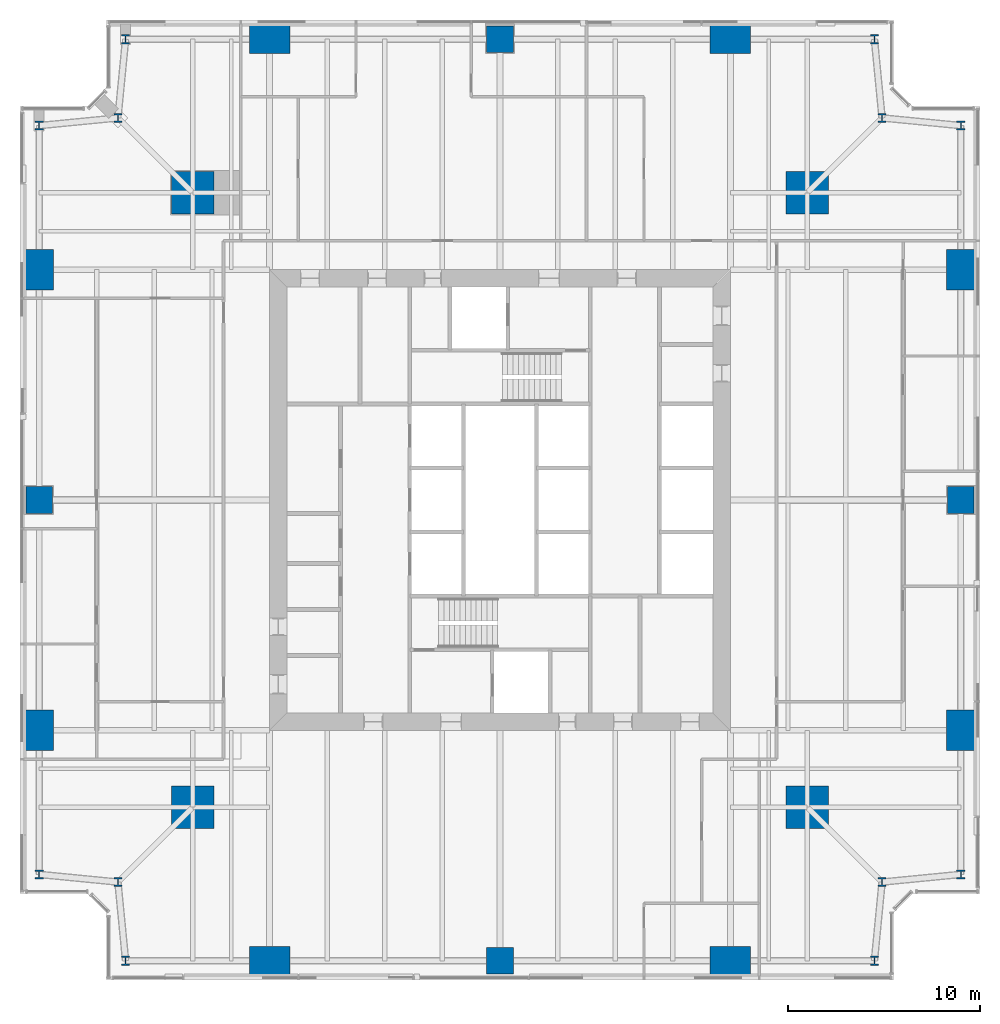
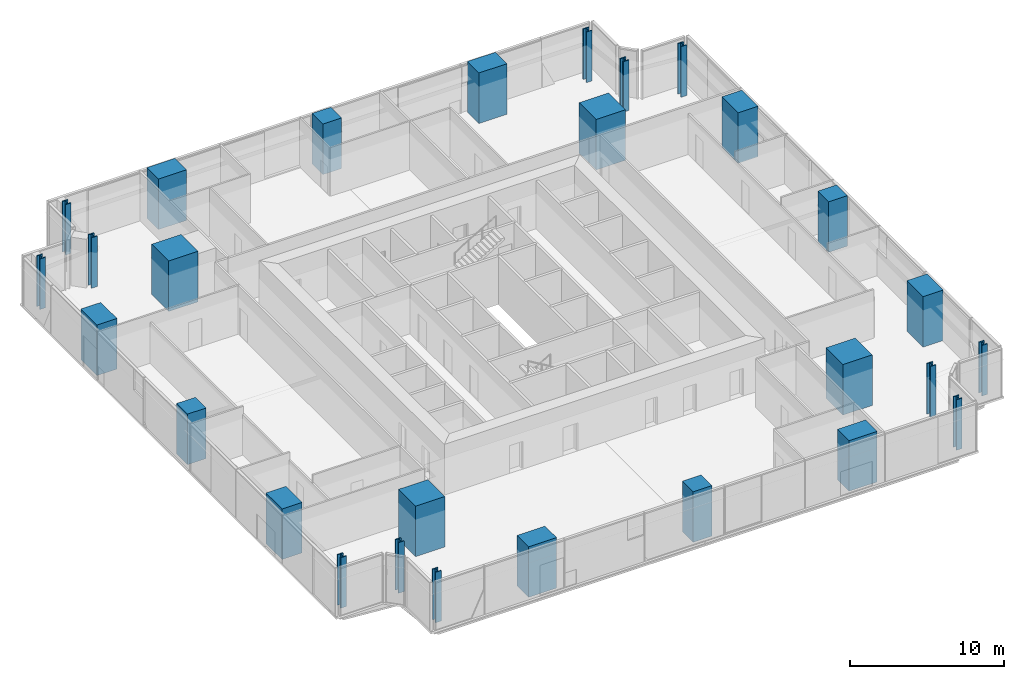
# One storey, part 1 of 14: 28 columns.
"""IFC4 building model written with IfcOpenShell, lengths in metres."""

from ifc_helpers import new_model, si_unit, direction, frame, origin, origin_2d, place, context, subcontext, project, spatial, rectangle, i_section, extrude, material, material_profile, profile_set, type_object, element, save


model = new_model("IFC4")

# Units and contexts
model_context = context("Model", 3, precision=1e-05, world=origin(), true_north=direction((0.0, 1.0)))
body_context = subcontext(model_context, "Body", "Model", "MODEL_VIEW")
ifc_project = project(units=[si_unit("LENGTHUNIT", "METRE"), si_unit("AREAUNIT", "SQUARE_METRE"), si_unit("VOLUMEUNIT", "CUBIC_METRE"), si_unit("PLANEANGLEUNIT", "RADIAN"), si_unit("MASSUNIT", "GRAM", prefix="KILO")], contexts=[model_context])

# Site, building, storey
site_placement = place(None, origin())
site = spatial("IfcSite", under=ifc_project, at=site_placement, CompositionType="ELEMENT")
building_placement = place(site_placement, origin())
building = spatial("IfcBuilding", under=site, at=building_placement, Name="Fenwick Lantern Interchange", CompositionType="ELEMENT")
storey_placement = place(building_placement, frame((0.0, 0.0, 122.39990234375)))
storey = spatial("IfcBuildingStorey", under=building, at=storey_placement, Name="L28", CompositionType="ELEMENT", Elevation=122.39990234375)

# Columns
ifc_material_1 = material(Name="Concrete f'c 70 MPa", Category="concrete")
ifc_material_profile_1 = material_profile(ifc_material_1, rectangle(XDim=2.199951171875, YDim=2.199951171875, at=origin_2d()), Name="RC2200X2200")
ifc_profile_set_1 = profile_set([ifc_material_profile_1], Name="Concrete f'c 70 MPa")
column_type_1 = type_object("IfcColumnType", Name="MEGA COLUMN RC2200X2200", PredefinedType="COLUMN", material=ifc_profile_set_1)
for number, where, z_axis, x_axis, name in (
    (1, (9.0, 9.0, 0.0), (0.0, 0.0, 1.0), (1.0, 0.0, 0.0), "L28/M1"),
    (2, (41.0, 9.0, 0.0), (0.0, 0.0, 1.0), (1.0, 0.0, 0.0), "L28/M2"),
    (3, (41.0, 41.0, 0.0), (0.0, 0.0, 1.0), (1.0, 0.0, 0.0), "L28/M3"),
    (4, (9.0, 41.0, 0.0), (0.0, 0.0, 1.0), (1.0, 0.0, 0.0), "L28/M4"),
):
    element("IfcColumn", number, at=place(storey_placement, frame(where, z_axis=z_axis, x_axis=x_axis)), inside=storey, type_object=column_type_1, Name=name, PredefinedType="COLUMN", context=body_context, shape_type="SweptSolid", body=[
        extrude(rectangle(XDim=2.199951171875, YDim=2.199951171875, at=origin_2d()), origin(), (0.0, 0.0, 1.0), 4.0),
    ])
ifc_material_profile_2 = material_profile(ifc_material_1, rectangle(XDim=1.39990234375, YDim=1.39990234375, at=origin_2d()), Name="RC1400X1400")
ifc_profile_set_2 = profile_set([ifc_material_profile_2], Name="Concrete f'c 70 MPa")
column_type_2 = type_object("IfcColumnType", Name="PERIMETER COLUMN RC1400X1400", PredefinedType="COLUMN", material=ifc_profile_set_2)
for number, where, z_axis, x_axis, name in (
    (5, (25.0, 1.0, 0.0), (0.0, 0.0, 1.0), (1.0, 0.0, 0.0), "L28/CS3"),
    (6, (49.0, 25.0, 0.0), (0.0, 0.0, 1.0), (1.0, 0.0, 0.0), "L28/CE3"),
    (7, (25.0, 49.0, 0.0), (0.0, 0.0, 1.0), (1.0, 0.0, 0.0), "L28/CN3"),
    (8, (1.0, 25.0, 0.0), (0.0, 0.0, 1.0), (1.0, 0.0, 0.0), "L28/CW3"),
):
    element("IfcColumn", number, at=place(storey_placement, frame(where, z_axis=z_axis, x_axis=x_axis)), inside=storey, type_object=column_type_2, Name=name, PredefinedType="COLUMN", context=body_context, shape_type="SweptSolid", body=[
        extrude(rectangle(XDim=1.39990234375, YDim=1.39990234375, at=origin_2d()), origin(), (0.0, 0.0, 1.0), 4.0),
    ])
ifc_material_profile_3 = material_profile(ifc_material_1, rectangle(XDim=1.5, YDim=2.10009765625, at=origin_2d()), Name="RC1500X2100")
ifc_profile_set_3 = profile_set([ifc_material_profile_3], Name="Concrete f'c 70 MPa")
column_type_3 = type_object("IfcColumnType", Name="PERIMETER COLUMN RC1500X2100", PredefinedType="COLUMN", material=ifc_profile_set_3)
for number, where, z_axis, x_axis, name in (
    (9, (49.0, 13.0, 0.0), (0.0, 0.0, 1.0), (1.0, 0.0, 0.0), "L28/CE2"),
    (10, (49.0, 37.0, 0.0), (0.0, 0.0, 1.0), (1.0, 0.0, 0.0), "L28/CE4"),
    (11, (1.0, 37.0, 0.0), (0.0, 0.0, 1.0), (1.0, 0.0, 0.0), "L28/CW2"),
    (12, (1.0, 13.0, 0.0), (0.0, 0.0, 1.0), (1.0, 0.0, 0.0), "L28/CW4"),
):
    element("IfcColumn", number, at=place(storey_placement, frame(where, z_axis=z_axis, x_axis=x_axis)), inside=storey, type_object=column_type_3, Name=name, PredefinedType="COLUMN", context=body_context, shape_type="SweptSolid", body=[
        extrude(rectangle(XDim=1.5, YDim=2.10009765625, at=origin_2d()), origin(), (0.0, 0.0, 1.0), 4.0),
    ])
ifc_material_profile_4 = material_profile(ifc_material_1, rectangle(XDim=2.10009765625, YDim=1.5, at=origin_2d()), Name="RC2100X1500")
ifc_profile_set_4 = profile_set([ifc_material_profile_4], Name="Concrete f'c 70 MPa")
column_type_4 = type_object("IfcColumnType", Name="PERIMETER COLUMN RC2100X1500", PredefinedType="COLUMN", material=ifc_profile_set_4)
for number, where, z_axis, x_axis, name in (
    (13, (13.0, 1.0, 0.0), (0.0, 0.0, 1.0), (1.0, 0.0, 0.0), "L28/CS2"),
    (14, (37.0, 1.0, 0.0), (0.0, 0.0, 1.0), (1.0, 0.0, 0.0), "L28/CS4"),
    (15, (37.0, 49.0, 0.0), (0.0, 0.0, 1.0), (1.0, 0.0, 0.0), "L28/CN2"),
    (16, (13.0, 49.0, 0.0), (0.0, 0.0, 1.0), (1.0, 0.0, 0.0), "L28/CN4"),
):
    element("IfcColumn", number, at=place(storey_placement, frame(where, z_axis=z_axis, x_axis=x_axis)), inside=storey, type_object=column_type_4, Name=name, PredefinedType="COLUMN", context=body_context, shape_type="SweptSolid", body=[
        extrude(rectangle(XDim=2.10009765625, YDim=1.5, at=origin_2d()), origin(), (0.0, 0.0, 1.0), 4.0),
    ])
ifc_material_2 = material(Name="Steel ASTM A992 Grade 50", Category="steel")
ifc_material_profile_5 = material_profile(ifc_material_2, i_section(OverallWidth=0.424072265625, OverallDepth=0.47509765625, WebThickness=0.0478515625, FlangeThickness=0.0771484375, at=origin_2d()), Name="W14X426")
ifc_profile_set_5 = profile_set([ifc_material_profile_5], Name="Steel ASTM A992 Grade 50")
column_type_5 = type_object("IfcColumnType", Name="PERIMETER COLUMN W14X426", PredefinedType="COLUMN", material=ifc_profile_set_5)
for number, where, z_axis, x_axis, name in (
    (17, (5.5, 1.0, 0.0), (0.0, 0.0, 1.0), (1.0, 0.0, 0.0), "L28/CS1"),
    (18, (44.5, 1.0, 0.0), (0.0, 0.0, 1.0), (1.0, 0.0, 0.0), "L28/CS5"),
    (19, (44.89990234375, 5.10009765625, 0.0), (0.0, 0.0, 1.0), (1.0, 0.0, 0.0), "L28/CSR"),
    (20, (49.0, 5.5, 0.0), (0.0, 0.0, 1.0), (1.0, 0.0, 0.0), "L28/CE1"),
    (21, (49.0, 44.5, 0.0), (0.0, 0.0, 1.0), (1.0, 0.0, 0.0), "L28/CE5"),
    (22, (44.89990234375, 44.89990234375, 0.0), (0.0, 0.0, 1.0), (1.0, 0.0, 0.0), "L28/CER"),
    (23, (44.5, 49.0, 0.0), (0.0, 0.0, 1.0), (1.0, 0.0, 0.0), "L28/CN1"),
    (24, (5.5, 49.0, 0.0), (0.0, 0.0, 1.0), (1.0, 0.0, 0.0), "L28/CN5"),
    (25, (5.10009765625, 44.89990234375, 0.0), (0.0, 0.0, 1.0), (1.0, 0.0, 0.0), "L28/CNR"),
    (26, (1.0, 44.5, 0.0), (0.0, 0.0, 1.0), (1.0, 0.0, 0.0), "L28/CW1"),
    (27, (1.0, 5.5, 0.0), (0.0, 0.0, 1.0), (1.0, 0.0, 0.0), "L28/CW5"),
    (28, (5.10009765625, 5.10009765625, 0.0), (0.0, 0.0, 1.0), (1.0, 0.0, 0.0), "L28/CWR"),
):
    element("IfcColumn", number, at=place(storey_placement, frame(where, z_axis=z_axis, x_axis=x_axis)), inside=storey, type_object=column_type_5, Name=name, PredefinedType="COLUMN", context=body_context, shape_type="SweptSolid", body=[
        extrude(i_section(OverallWidth=0.424072265625, OverallDepth=0.47509765625, WebThickness=0.0478515625, FlangeThickness=0.0771484375, at=origin_2d()), origin(), (0.0, 0.0, 1.0), 4.0),
    ])

save(model, "model.ifc")
